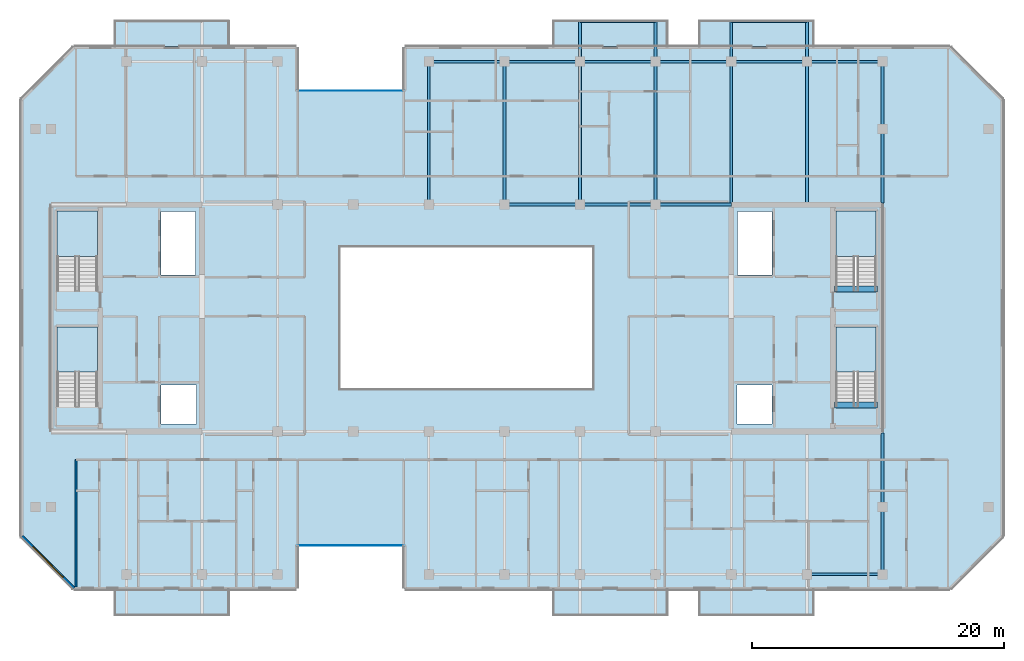
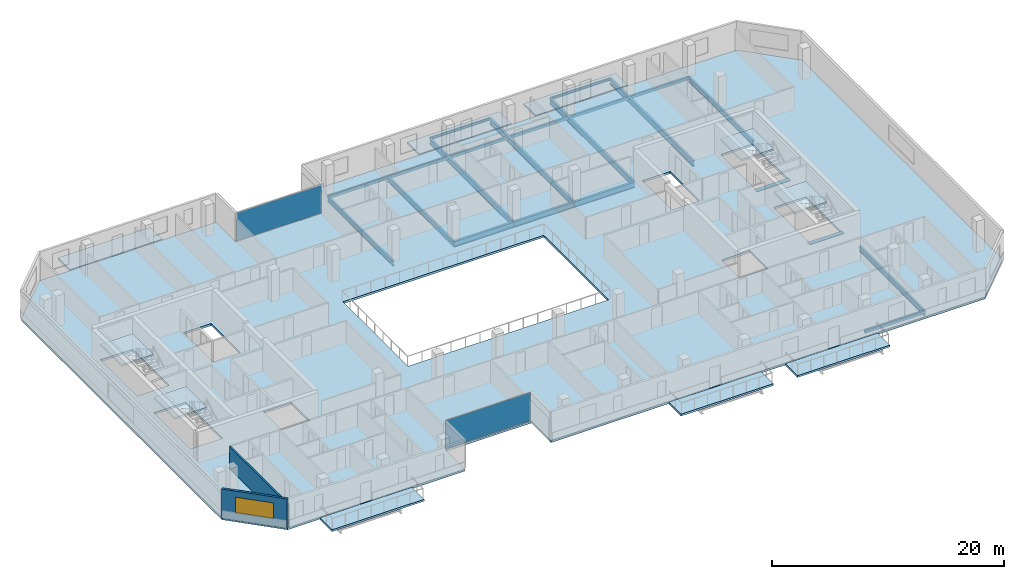
# One storey, part 5 of 16: 22 beams, 11 slabs, 2 plates, 2 walls, 1 window, 1 opening, 6 elements without a shape of their own.
"""IFC4 building model written with IfcOpenShell, lengths in metres."""

from ifc_helpers import new_model, si_unit, direction, frame, frame_2d, origin, origin_2d, place, context, subcontext, project, spatial, polyline, rectangle, hollow_rectangle, i_section, outline, extrude, material, layer, layer_set, material_profile, profile_set, type_object, element, fill, aggregate, save


model = new_model("IFC4")

# Units and contexts
model_context = context("Model", 3, precision=1e-05, world=origin(), true_north=direction((0.0, 1.0)))
body_context = subcontext(model_context, "Body", "Model", "MODEL_VIEW")
ifc_project = project(units=[si_unit("LENGTHUNIT", "METRE"), si_unit("AREAUNIT", "SQUARE_METRE"), si_unit("VOLUMEUNIT", "CUBIC_METRE"), si_unit("PLANEANGLEUNIT", "RADIAN"), si_unit("MASSUNIT", "GRAM", prefix="KILO")], contexts=[model_context])

# Site, building, storey
site_placement = place(None, origin())
site = spatial("IfcSite", under=ifc_project, at=site_placement, CompositionType="ELEMENT")
building_placement = place(site_placement, origin())
building = spatial("IfcBuilding", under=site, at=building_placement, Name="Tanjung Sevakor Pilgrim Tower", CompositionType="ELEMENT")
storey_placement = place(building_placement, frame((0.0, 0.0, 198.330078125)))
storey = spatial("IfcBuildingStorey", under=building, at=storey_placement, Name="L55", CompositionType="ELEMENT", Elevation=198.330078125)

# Beams
ifc_material_1 = material(Name="Steel S355J2", Category="steel")
ifc_material_profile_1 = material_profile(ifc_material_1, i_section(OverallWidth=0.22900390625, OverallDepth=0.6123046875, WebThickness=0.011962890625, FlangeThickness=0.01953125, FilletRadius=0.0126953125, at=origin_2d()))
ifc_profile_set_1 = profile_set([ifc_material_profile_1], Name="Steel S355J2")
beam_type_1 = type_object("IfcBeamType", Name="BM-B-G4-UB_610x229x125", PredefinedType="BEAM", material=ifc_profile_set_1)
for number, where, z_axis, x_axis, name in (
    (1, (60.0, 42.60009765625, -0.526123046875), (1.0, 0.0, 0.0), (0.0, 1.0, 0.0), "L55 Primary Floor Girder MAIN Y426-06"),
    (2, (66.0, 42.60009765625, -0.526123046875), (1.0, 0.0, 0.0), (0.0, 1.0, 0.0), "L55 Primary Floor Girder MAIN Y426-07"),
    (3, (72.0, 42.60009765625, -0.526123046875), (1.0, 0.0, 0.0), (0.0, 1.0, 0.0), "L55 Primary Floor Girder MAIN Y426-08"),
):
    element("IfcBeam", number, at=place(storey_placement, frame(where, z_axis=z_axis, x_axis=x_axis)), inside=storey, type_object=beam_type_1, Name=name, PredefinedType="BEAM", context=body_context, shape_type="SweptSolid", body=[
        extrude(i_section(OverallWidth=0.22900390625, OverallDepth=0.6123046875, WebThickness=0.011962890625, FlangeThickness=0.01953125, FilletRadius=0.0126953125, at=origin_2d()), origin(), (0.0, 0.0, 1.0), 6.0),
    ])
for number, where, z_axis, x_axis, name in (
    (4, (66.0, 42.60009765625, -0.526123046875), (0.0, 1.0, 0.0), (-1.0, 0.0, 0.0), "L55 Balcony Cantilever Beam MAIN-N2-1"),
    (5, (72.0, 42.60009765625, -0.526123046875), (0.0, 1.0, 0.0), (-1.0, 0.0, 0.0), "L55 Balcony Cantilever Beam MAIN-N2-2"),
):
    element("IfcBeam", number, at=place(storey_placement, frame(where, z_axis=z_axis, x_axis=x_axis)), inside=storey, type_object=beam_type_1, Name=name, PredefinedType="BEAM", context=body_context, shape_type="SweptSolid", body=[
        extrude(i_section(OverallWidth=0.22900390625, OverallDepth=0.6123046875, WebThickness=0.011962890625, FlangeThickness=0.01953125, FilletRadius=0.0126953125, at=origin_2d()), origin(), (0.0, 0.0, 1.0), 14.52978515625),
    ])
for number, where, z_axis, x_axis, name in (
    (6, (78.0, 42.714599609375, -0.526123046875), (0.0, 1.0, 0.0), (-1.0, 0.0, 0.0), "L55 Balcony Cantilever Beam MAIN-N3-1"),
    (7, (84.0, 42.714599609375, -0.526123046875), (0.0, 1.0, 0.0), (-1.0, 0.0, 0.0), "L55 Balcony Cantilever Beam MAIN-N3-2"),
):
    element("IfcBeam", number, at=place(storey_placement, frame(where, z_axis=z_axis, x_axis=x_axis)), inside=storey, type_object=beam_type_1, Name=name, PredefinedType="BEAM", context=body_context, shape_type="SweptSolid", body=[
        extrude(i_section(OverallWidth=0.22900390625, OverallDepth=0.6123046875, WebThickness=0.011962890625, FlangeThickness=0.01953125, FilletRadius=0.0126953125, at=origin_2d()), origin(), (0.0, 0.0, 1.0), 14.415283203125),
    ])
ifc_material_2 = material(Name="Steel S355J2", Category="steel")
ifc_material_profile_2 = material_profile(ifc_material_2, i_section(OverallWidth=0.2119140625, OverallDepth=0.54443359375, WebThickness=0.0126953125, FlangeThickness=0.021240234375, FilletRadius=0.0126953125, at=origin_2d()))
ifc_profile_set_2 = profile_set([ifc_material_profile_2], Name="Steel S355J2")
beam_type_2 = type_object("IfcBeamType", Name="BM-B-G5-UB_533x210x122", PredefinedType="BEAM", material=ifc_profile_set_2)
for number, where, z_axis, x_axis, name in (
    (8, (54.0, 42.60009765625, -0.492431640625), (0.0, 1.0, 0.0), (-1.0, 0.0, 0.0), "L55 MAIN Girder 005"),
    (9, (60.0, 42.60009765625, -0.492431640625), (0.0, 1.0, 0.0), (-1.0, 0.0, 0.0), "L55 MAIN Girder 007"),
):
    element("IfcBeam", number, at=place(storey_placement, frame(where, z_axis=z_axis, x_axis=x_axis)), inside=storey, type_object=beam_type_2, Name=name, PredefinedType="BEAM", context=body_context, shape_type="SweptSolid", body=[
        extrude(i_section(OverallWidth=0.2119140625, OverallDepth=0.54443359375, WebThickness=0.0126953125, FlangeThickness=0.021240234375, FilletRadius=0.0126953125, at=origin_2d()), origin(), (0.0, 0.0, 1.0), 11.349853515625),
    ])
beam_1_placement = place(storey_placement, frame((90.0, 13.25, -0.492431640625), z_axis=(0.0, 1.0, 0.0), x_axis=(-1.0, 0.0, 0.0)))
element("IfcBeam", 10, at=beam_1_placement, inside=storey, type_object=beam_type_2, Name="L55 MAIN Girder 009", PredefinedType="BEAM", context=body_context, shape_type="SweptSolid", body=[
    extrude(i_section(OverallWidth=0.2119140625, OverallDepth=0.54443359375, WebThickness=0.0126953125, FlangeThickness=0.021240234375, FilletRadius=0.0126953125, at=origin_2d()), origin(), (0.0, 0.0, 1.0), 11.235595703125),
])
beam_2_placement = place(storey_placement, frame((90.0, 42.714599609375, -0.492431640625), z_axis=(0.0, 1.0, 0.0), x_axis=(-1.0, 0.0, 0.0)))
element("IfcBeam", 11, at=beam_2_placement, inside=storey, type_object=beam_type_2, Name="L55 MAIN Girder 010", PredefinedType="BEAM", context=body_context, shape_type="SweptSolid", body=[
    extrude(i_section(OverallWidth=0.2119140625, OverallDepth=0.54443359375, WebThickness=0.0126953125, FlangeThickness=0.021240234375, FilletRadius=0.0126953125, at=origin_2d()), origin(), (0.0, 0.0, 1.0), 11.2353515625),
])
ifc_material_3 = material(Name="Steel S355J2", Category="steel")
ifc_material_profile_3 = material_profile(ifc_material_3, i_section(OverallWidth=0.146484375, OverallDepth=0.256103515625, WebThickness=0.00634765625, FlangeThickness=0.010986328125, FilletRadius=0.007568359375, at=origin_2d()))
ifc_profile_set_3 = profile_set([ifc_material_profile_3], Name="Steel S355J2")
beam_type_3 = type_object("IfcBeamType", Name="BM-B-J6-UB_254x146x37", PredefinedType="JOIST", material=ifc_profile_set_3)
for number, where, z_axis, x_axis, name in (
    (12, (66.0, 57.1298828125, -0.328125), (1.0, 0.0, 0.0), (0.0, 1.0, 0.0), "L55 Balcony Rim Tie MAIN-N2"),
    (13, (78.0, 57.1298828125, -0.328125), (1.0, 0.0, 0.0), (0.0, 1.0, 0.0), "L55 Balcony Rim Tie MAIN-N3"),
):
    element("IfcBeam", number, at=place(storey_placement, frame(where, z_axis=z_axis, x_axis=x_axis)), inside=storey, type_object=beam_type_3, Name=name, PredefinedType="JOIST", context=body_context, shape_type="SweptSolid", body=[
        extrude(i_section(OverallWidth=0.146484375, OverallDepth=0.256103515625, WebThickness=0.00634765625, FlangeThickness=0.010986328125, FilletRadius=0.007568359375, at=origin_2d()), origin(), (0.0, 0.0, 1.0), 6.0),
    ])
ifc_material_4 = material(Name="Concrete C60/75", Category="concrete")
ifc_material_profile_4 = material_profile(ifc_material_4, rectangle(XDim=0.449951171875, YDim=0.699951171875, at=origin_2d()))
ifc_profile_set_4 = profile_set([ifc_material_profile_4], Name="Concrete C60/75")
beam_type_4 = type_object("IfcBeamType", Name="BM-B-LN3-RC-BM_450x700", PredefinedType="LINTEL", material=ifc_profile_set_4)
for number, where, z_axis, x_axis, name in (
    (14, (86.199951171875, 26.699951171875, -0.35009765625), (1.0, 0.0, 0.0), (0.0, 1.0, 0.0), "L55 TS-E1 Stair Threshold Beam"),
    (15, (86.199951171875, 35.89990234375, -0.35009765625), (1.0, 0.0, 0.0), (0.0, 1.0, 0.0), "L55 TS-E2 Stair Threshold Beam"),
):
    element("IfcBeam", number, at=place(storey_placement, frame(where, z_axis=z_axis, x_axis=x_axis)), inside=storey, type_object=beam_type_4, Name=name, PredefinedType="LINTEL", context=body_context, shape_type="SweptSolid", body=[
        extrude(rectangle(XDim=0.449951171875, YDim=0.699951171875, at=origin_2d()), origin(), (0.0, 0.0, 1.0), 3.400146484375),
    ])
ifc_material_5 = material(Name="Steel S355J2", Category="steel")
ifc_material_profile_5 = material_profile(ifc_material_5, hollow_rectangle(XDim=0.199951171875, YDim=0.300048828125, WallThickness=0.012451171875, at=origin_2d()))
ifc_profile_set_5 = profile_set([ifc_material_profile_5], Name="Steel S355J2")
beam_type_5 = type_object("IfcBeamType", Name="BM-B-SP3-RHS_300x200x12.5", PredefinedType="SPANDREL", material=ifc_profile_set_5)
for number, where, z_axis, x_axis, name in (
    (16, (54.0, 53.949951171875, -0.3701171875), (1.0, 0.0, 0.0), (0.0, 1.0, 0.0), "L55 Spandrel MAIN N-06"),
    (17, (60.0, 53.949951171875, -0.3701171875), (1.0, 0.0, 0.0), (0.0, 1.0, 0.0), "L55 Spandrel MAIN N-08"),
    (18, (66.0, 53.949951171875, -0.3701171875), (1.0, 0.0, 0.0), (0.0, 1.0, 0.0), "L55 Spandrel MAIN N-10"),
    (19, (72.0, 53.949951171875, -0.3701171875), (1.0, 0.0, 0.0), (0.0, 1.0, 0.0), "L55 Spandrel MAIN N-12"),
    (20, (78.0, 53.949951171875, -0.3701171875), (1.0, 0.0, 0.0), (0.0, 1.0, 0.0), "L55 Spandrel MAIN N-14"),
    (21, (84.0, 13.25, -0.3701171875), (1.0, 0.0, 0.0), (0.0, 1.0, 0.0), "L55 Spandrel MAIN S-15"),
    (22, (84.0, 53.949951171875, -0.3701171875), (1.0, 0.0, 0.0), (0.0, 1.0, 0.0), "L55 Spandrel MAIN N-16"),
):
    element("IfcBeam", number, at=place(storey_placement, frame(where, z_axis=z_axis, x_axis=x_axis)), inside=storey, type_object=beam_type_5, Name=name, PredefinedType="SPANDREL", context=body_context, shape_type="SweptSolid", body=[
        extrude(hollow_rectangle(XDim=0.199951171875, YDim=0.300048828125, WallThickness=0.012451171875, at=origin_2d()), origin(), (0.0, 0.0, 1.0), 6.0),
    ])

# Slabs
ifc_material_6 = material(Name="Concrete C40/50", Category="concrete")
ifc_layer_1 = layer(ifc_material_6, 0.199951171875)
ifc_layer_set_1 = layer_set([ifc_layer_1], Name="SL-BAL-200")
slab_type_1 = type_object("IfcSlabType", Name="SL-BAL-200", PredefinedType="FLOOR", material=ifc_layer_set_1)
slab_1_placement = place(storey_placement, frame((0.0, 0.0, -0.2001953125)))
element("IfcSlab", 23, at=slab_1_placement, inside=storey, type_object=slab_type_1, Name="L55 Planted Loggia Balcony MAIN-S1", PredefinedType="FLOOR", context=body_context, shape_type="SweptSolid", body=[
    extrude(outline(polyline([(29.0, 9.949951171875), (38.199951171875, 9.949951171875), (38.199951171875, 12.050048828125), (29.0, 12.050048828125), (29.0, 9.949951171875)])), origin(), (0.0, 0.0, 1.0), 0.2001953125),
])
slab_2_placement = place(storey_placement, frame((0.0, 0.0, -0.2001953125)))
element("IfcSlab", 24, at=slab_2_placement, inside=storey, type_object=slab_type_1, Name="L55 Planted Loggia Balcony MAIN-N1", PredefinedType="FLOOR", context=body_context, shape_type="SweptSolid", body=[
    extrude(outline(polyline([(29.0, 55.14990234375), (38.199951171875, 55.14990234375), (38.199951171875, 57.25), (29.0, 57.25), (29.0, 55.14990234375)])), origin(), (0.0, 0.0, 1.0), 0.2001953125),
])
slab_3_placement = place(storey_placement, frame((0.0, 0.0, -0.2001953125)))
element("IfcSlab", 25, at=slab_3_placement, inside=storey, type_object=slab_type_1, Name="L55 Planted Loggia Balcony MAIN-S2", PredefinedType="FLOOR", context=body_context, shape_type="SweptSolid", body=[
    extrude(outline(polyline([(63.800048828125, 9.949951171875), (73.0, 9.949951171875), (73.0, 12.050048828125), (63.800048828125, 12.050048828125), (63.800048828125, 9.949951171875)])), origin(), (0.0, 0.0, 1.0), 0.2001953125),
])
slab_4_placement = place(storey_placement, frame((0.0, 0.0, -0.2001953125)))
element("IfcSlab", 26, at=slab_4_placement, inside=storey, type_object=slab_type_1, Name="L55 Planted Loggia Balcony MAIN-N2", PredefinedType="FLOOR", context=body_context, shape_type="SweptSolid", body=[
    extrude(outline(polyline([(63.800048828125, 55.14990234375), (73.0, 55.14990234375), (73.0, 57.25), (63.800048828125, 57.25), (63.800048828125, 55.14990234375)])), origin(), (0.0, 0.0, 1.0), 0.2001953125),
])
slab_5_placement = place(storey_placement, frame((0.0, 0.0, -0.2001953125)))
element("IfcSlab", 27, at=slab_5_placement, inside=storey, type_object=slab_type_1, Name="L55 Planted Loggia Balcony MAIN-S3", PredefinedType="FLOOR", context=body_context, shape_type="SweptSolid", body=[
    extrude(outline(polyline([(75.39990234375, 9.949951171875), (84.60009765625, 9.949951171875), (84.60009765625, 12.050048828125), (75.39990234375, 12.050048828125), (75.39990234375, 9.949951171875)])), origin(), (0.0, 0.0, 1.0), 0.2001953125),
])
slab_6_placement = place(storey_placement, frame((0.0, 0.0, -0.2001953125)))
element("IfcSlab", 28, at=slab_6_placement, inside=storey, type_object=slab_type_1, Name="L55 Planted Loggia Balcony MAIN-N3", PredefinedType="FLOOR", context=body_context, shape_type="SweptSolid", body=[
    extrude(outline(polyline([(75.39990234375, 55.14990234375), (84.60009765625, 55.14990234375), (84.60009765625, 57.25), (75.39990234375, 57.25), (75.39990234375, 55.14990234375)])), origin(), (0.0, 0.0, 1.0), 0.2001953125),
])

# Stair, slab
ifc_material_7 = material(Name="Concrete C40/50", Category="concrete")
stair_type = type_object("IfcStairType", Name="STAIR-ST-CR150", PredefinedType="HALF_TURN_STAIR", material=ifc_material_7)
stair_1_placement = place(storey_placement, origin())
stair_1 = element("IfcStair", 29, at=stair_1_placement, inside=storey, type_object=stair_type, Name="L55 West Core Exit Stair 1", PredefinedType="HALF_TURN_STAIR")
ifc_material_8 = material(Name="Concrete C40/50", Category="concrete")
ifc_layer_2 = layer(ifc_material_8, 0.199951171875)
ifc_layer_set_2 = layer_set([ifc_layer_2], Name="SL-LAND-200")
slab_type_2 = type_object("IfcSlabType", Name="SL-LAND-200", PredefinedType="LANDING", material=ifc_layer_set_2)
slab_7_placement = place(storey_placement, frame((0.0, 0.0, 1.449951171875)))
slab_7 = element("IfcSlab", 30, at=slab_7_placement, type_object=slab_type_2, Name="TS-W1 landing 1", PredefinedType="LANDING", context=body_context, shape_type="SweptSolid", body=[
    extrude(outline(polyline([(27.699951171875, 29.300048828125), (27.699951171875, 32.89990234375), (24.5, 32.89990234375), (24.5, 29.300048828125), (27.699951171875, 29.300048828125)])), origin(), (0.0, 0.0, 1.0), 0.199951171875),
])
aggregate(stair_1, [slab_7])

stair_2_placement = place(storey_placement, origin())
stair_2 = element("IfcStair", 31, at=stair_2_placement, inside=storey, type_object=stair_type, Name="L55 West Core Exit Stair 2", PredefinedType="HALF_TURN_STAIR")
slab_8_placement = place(storey_placement, frame((0.0, 0.0, 1.449951171875)))
slab_8 = element("IfcSlab", 32, at=slab_8_placement, type_object=slab_type_2, Name="TS-W2 landing 1", PredefinedType="LANDING", context=body_context, shape_type="SweptSolid", body=[
    extrude(outline(polyline([(27.699951171875, 38.5), (27.699951171875, 42.10009765625), (24.5, 42.10009765625), (24.5, 38.5), (27.699951171875, 38.5)])), origin(), (0.0, 0.0, 1.0), 0.199951171875),
])
aggregate(stair_2, [slab_8])

stair_3_placement = place(storey_placement, origin())
stair_3 = element("IfcStair", 33, at=stair_3_placement, inside=storey, type_object=stair_type, Name="L55 East Core Exit Stair 1", PredefinedType="HALF_TURN_STAIR")
slab_9_placement = place(storey_placement, frame((0.0, 0.0, 1.449951171875)))
slab_9 = element("IfcSlab", 34, at=slab_9_placement, type_object=slab_type_2, Name="TS-E1 landing 1", PredefinedType="LANDING", context=body_context, shape_type="SweptSolid", body=[
    extrude(outline(polyline([(89.5, 29.300048828125), (89.5, 32.89990234375), (86.300048828125, 32.89990234375), (86.300048828125, 29.300048828125), (89.5, 29.300048828125)])), origin(), (0.0, 0.0, 1.0), 0.199951171875),
])
aggregate(stair_3, [slab_9])

stair_4_placement = place(storey_placement, origin())
stair_4 = element("IfcStair", 35, at=stair_4_placement, inside=storey, type_object=stair_type, Name="L55 East Core Exit Stair 2", PredefinedType="HALF_TURN_STAIR")
slab_10_placement = place(storey_placement, frame((0.0, 0.0, 1.449951171875)))
slab_10 = element("IfcSlab", 36, at=slab_10_placement, type_object=slab_type_2, Name="TS-E2 landing 1", PredefinedType="LANDING", context=body_context, shape_type="SweptSolid", body=[
    extrude(outline(polyline([(89.5, 38.5), (89.5, 42.10009765625), (86.300048828125, 42.10009765625), (86.300048828125, 38.5), (89.5, 38.5)])), origin(), (0.0, 0.0, 1.0), 0.199951171875),
])
aggregate(stair_4, [slab_10])

# Slab
ifc_material_9 = material(Name="Concrete C40/50", Category="concrete")
ifc_layer_3 = layer(ifc_material_9, 0.219970703125)
ifc_layer_set_3 = layer_set([ifc_layer_3], Name="SL-TWR-220")
slab_type_3 = type_object("IfcSlabType", Name="SL-TWR-220", PredefinedType="FLOOR", material=ifc_layer_set_3)
slab_11_placement = place(storey_placement, frame((0.0, 0.0, -0.219970703125)))
element("IfcSlab", 37, at=slab_11_placement, inside=storey, type_object=slab_type_3, Name="L55 Floor Slab MAIN", PredefinedType="FLOOR", context=body_context, shape_type="SweptSolid", body=[
    extrude(outline(polyline([(25.846923828125, 12.1298828125), (43.52001953125, 12.1298828125), (43.52001953125, 15.530029296875), (52.080078125, 15.530029296875), (52.080078125, 12.1298828125), (95.35302734375, 12.1298828125), (99.52001953125, 16.296875), (99.52001953125, 50.903076171875), (95.35302734375, 55.070068359375), (52.080078125, 55.070068359375), (52.080078125, 51.669921875), (43.52001953125, 51.669921875), (43.52001953125, 55.070068359375), (25.846923828125, 55.070068359375), (21.679931640625, 50.903076171875), (21.679931640625, 16.296875), (25.846923828125, 12.1298828125)]), holes=[polyline([(27.699951171875, 26.60009765625), (27.699951171875, 32.89990234375), (24.5, 32.89990234375), (24.5, 26.60009765625), (27.699951171875, 26.60009765625)]), polyline([(27.699951171875, 35.800048828125), (27.699951171875, 42.10009765625), (24.5, 42.10009765625), (24.5, 35.800048828125), (27.699951171875, 35.800048828125)]), polyline([(89.5, 26.60009765625), (89.5, 32.89990234375), (86.300048828125, 32.89990234375), (86.300048828125, 26.60009765625), (89.5, 26.60009765625)]), polyline([(89.5, 35.800048828125), (89.5, 42.10009765625), (86.300048828125, 42.10009765625), (86.300048828125, 35.800048828125), (89.5, 35.800048828125)]), polyline([(32.75, 25.199951171875), (35.550048828125, 25.199951171875), (35.550048828125, 28.300048828125), (32.75, 28.300048828125), (32.75, 25.199951171875)]), polyline([(32.75, 37.0), (35.5, 37.0), (35.5, 42.050048828125), (32.75, 42.050048828125), (32.75, 37.0)]), polyline([(78.449951171875, 25.199951171875), (81.25, 25.199951171875), (81.25, 28.300048828125), (78.449951171875, 28.300048828125), (78.449951171875, 25.199951171875)]), polyline([(78.5, 37.0), (81.25, 37.0), (81.25, 42.050048828125), (78.5, 42.050048828125), (78.5, 37.0)]), polyline([(47.0, 28.0), (67.0, 28.0), (67.0, 39.199951171875), (47.0, 39.199951171875), (47.0, 28.0)])]), origin(), (0.0, 0.0, 1.0), 0.219970703125),
])

# Curtain wall, plate
ifc_material_10 = material(Name="Aluminium 6063-T6 and Low-E Glass", Category="aluminium")
ifc_layer_4 = layer(ifc_material_10, 0.179931640625)
ifc_layer_set_4 = layer_set([ifc_layer_4], Name="CW-SYS-CLEFT")
curtain_wall_type = type_object("IfcCurtainWallType", Name="CW-SYS-CLEFT", PredefinedType="NOTDEFINED", material=ifc_layer_set_4)
curtain_wall_1_placement = place(storey_placement, origin())
curtain_wall_1 = element("IfcCurtainWall", 38, at=curtain_wall_1_placement, inside=storey, type_object=curtain_wall_type, Name="L55 Curtain Wall CW-CLF-L55-2", PredefinedType="NOTDEFINED")
ifc_material_11 = material(Name="Laminated Low-E Double Glazing", Category="glass")
ifc_layer_5 = layer(ifc_material_11, 0.028076171875)
ifc_layer_set_5 = layer_set([ifc_layer_5], Name="TYPE-CWP-GLZ1")
plate_type = type_object("IfcPlateType", Name="TYPE-CWP-GLZ1", PredefinedType="CURTAIN_PANEL", material=ifc_layer_set_5)
plate_1_placement = place(storey_placement, frame((47.800048828125, 15.56005859375, 0.06494140625), z_axis=(0.0, 0.0, 1.0), x_axis=(1.0, 0.0, 0.0)))
plate_1 = element("IfcPlate", 39, at=plate_1_placement, type_object=plate_type, Name="CW-CLF panel 1.1", PredefinedType="CURTAIN_PANEL", context=body_context, shape_type="SweptSolid", body=[
    extrude(rectangle(XDim=8.469970703125, YDim=0.028076171875, at=origin_2d()), origin(), (0.0, 0.0, 1.0), 2.949951171875),
])
aggregate(curtain_wall_1, [plate_1])

curtain_wall_2_placement = place(storey_placement, origin())
curtain_wall_2 = element("IfcCurtainWall", 40, at=curtain_wall_2_placement, inside=storey, type_object=curtain_wall_type, Name="L55 Curtain Wall CW-CLF-L55-10", PredefinedType="NOTDEFINED")
plate_2_placement = place(storey_placement, frame((47.800048828125, 51.639892578125, 0.06494140625), z_axis=(0.0, 0.0, 1.0), x_axis=(-1.0, 0.0, 0.0)))
plate_2 = element("IfcPlate", 41, at=plate_2_placement, type_object=plate_type, Name="CW-CLF panel 1.1", PredefinedType="CURTAIN_PANEL", context=body_context, shape_type="SweptSolid", body=[
    extrude(rectangle(XDim=8.469970703125, YDim=0.028076171875, at=origin_2d()), origin(), (0.0, 0.0, 1.0), 2.949951171875),
])
aggregate(curtain_wall_2, [plate_2])

# Wall
ifc_material_12 = material(Name="Concrete C40/50", Category="concrete")
ifc_layer_6 = layer(ifc_material_12, 0.14990234375)
ifc_layer_set_6 = layer_set([ifc_layer_6], Name="WT-COMP-150")
wall_type_1 = type_object("IfcWallType", Name="WT-COMP-150", PredefinedType="SOLIDWALL", material=ifc_layer_set_6)
wall_1_placement = place(storey_placement, frame((26.0, 12.27001953125, 0.0), z_axis=(0.0, 0.0, 1.0), x_axis=(0.0, 1.0, 0.0)))
element("IfcWall", 42, at=wall_1_placement, inside=storey, type_object=wall_type_1, Name="L55 Partition IW-L55-037", PredefinedType="SOLIDWALL", context=body_context, shape_type="SweptSolid", body=[
    extrude(rectangle(XDim=10.080078125, YDim=0.14990234375, at=frame_2d((5.0400390625, 0.0))), origin(), (0.0, 0.0, 1.0), 2.35009765625),
])

# Wall, opening, window
ifc_material_13 = material(Name="Precast concrete C45/55", Category="concrete")
ifc_layer_7 = layer(ifc_material_13, 0.219970703125)
ifc_layer_set_7 = layer_set([ifc_layer_7], Name="WT-EW-STN4")
wall_type_2 = type_object("IfcWallType", Name="WT-EW-STN4", PredefinedType="SOLIDWALL", material=ifc_layer_set_7)
wall_2_placement = place(storey_placement, frame((21.7099609375, 16.295654296875, 0.0), z_axis=(0.0, 0.0, 1.0), x_axis=(0.707106781187, -0.707106781187, 0.0)))
wall_2 = element("IfcWall", 43, at=wall_2_placement, inside=storey, type_object=wall_type_2, Name="L55 MAIN Sculpted Corner Wall 15", PredefinedType="SOLIDWALL", context=body_context, shape_type="SweptSolid", body=[
    extrude(rectangle(XDim=5.848876953125, YDim=0.219970703125, at=frame_2d((2.92431640625, 0.0))), origin(), (0.0, 0.0, 1.0), 3.080078125),
])
opening_placement = place(wall_2_placement, frame((1.224365234375, 0.0, 0.780029296875)))
opening = element("IfcOpeningElement", 44, at=opening_placement, cuts=wall_2, Name="Opening WN-CHM-1660", PredefinedType="OPENING", context=body_context, shape_type="SweptSolid", body=[
    extrude(rectangle(XDim=3.39990234375, YDim=1.659912109375, at=frame_2d((1.699951171875, 0.830078125))), frame((0.0, 0.119873046875, 0.0), z_axis=(0.0, -1.0, 0.0), x_axis=(1.0, 0.0, 0.0)), (0.0, 0.0, 1.0), 0.239990234375),
])
ifc_material_14 = material(Name="Thermally Broken Aluminium and Low-E Glass", Category="aluminium")
window_type = type_object("IfcWindowType", Name="WTYP-WN-CHM-1660", PartitioningType="DOUBLE_PANEL_VERTICAL", PredefinedType="WINDOW", material=ifc_material_14)
window_placement = place(opening_placement, origin())
window = element("IfcWindow", 45, at=window_placement, inside=storey, type_object=window_type, Name="L55 Facade Window 01", OverallHeight=1.659912109375, OverallWidth=3.39990234375, PartitioningType="SINGLE_PANEL", PredefinedType="WINDOW", context=body_context, shape_type="SweptSolid", body=[
    extrude(rectangle(XDim=3.39990234375, YDim=1.659912109375, at=frame_2d((1.699951171875, 0.830078125))), frame((0.0, 0.030029296875, 0.0), z_axis=(0.0, -1.0, 0.0), x_axis=(1.0, 0.0, 0.0)), (0.0, 0.0, 1.0), 0.06005859375),
])
fill(opening, window)

save(model, "model.ifc")
